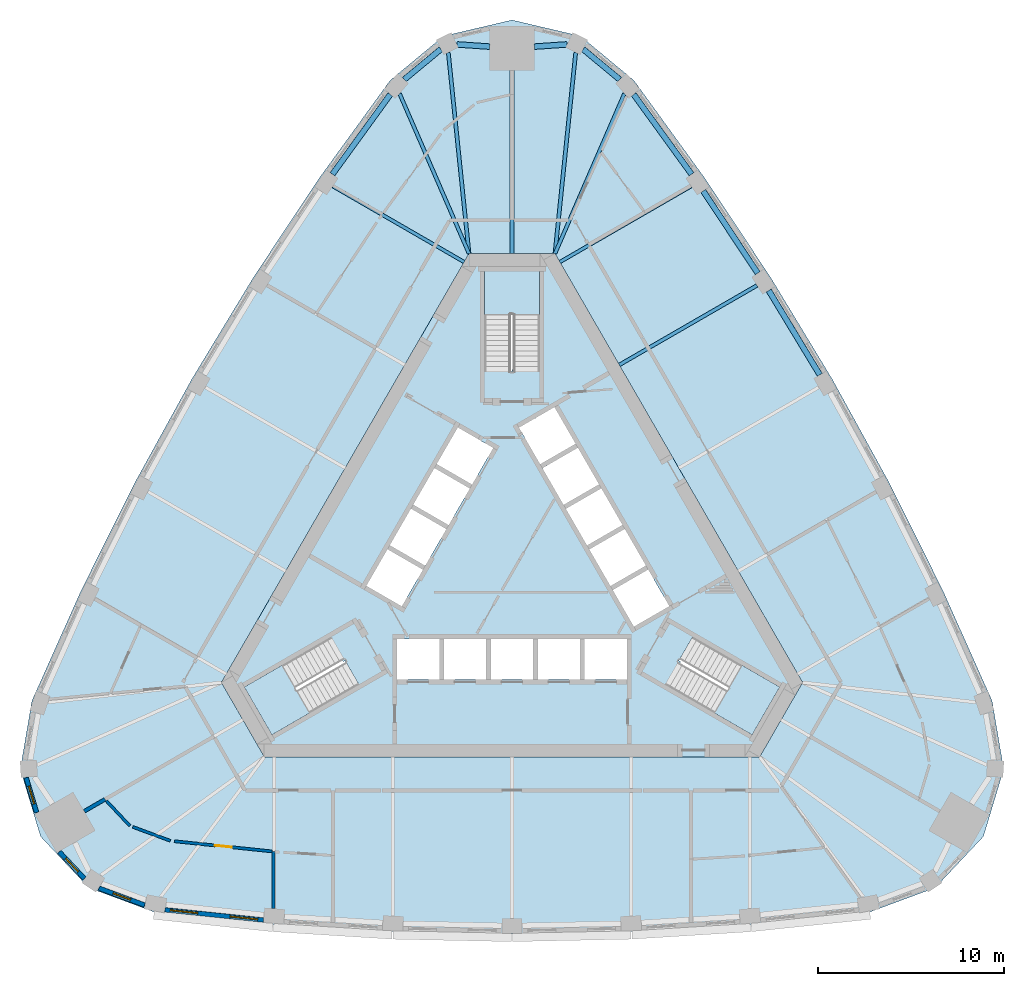
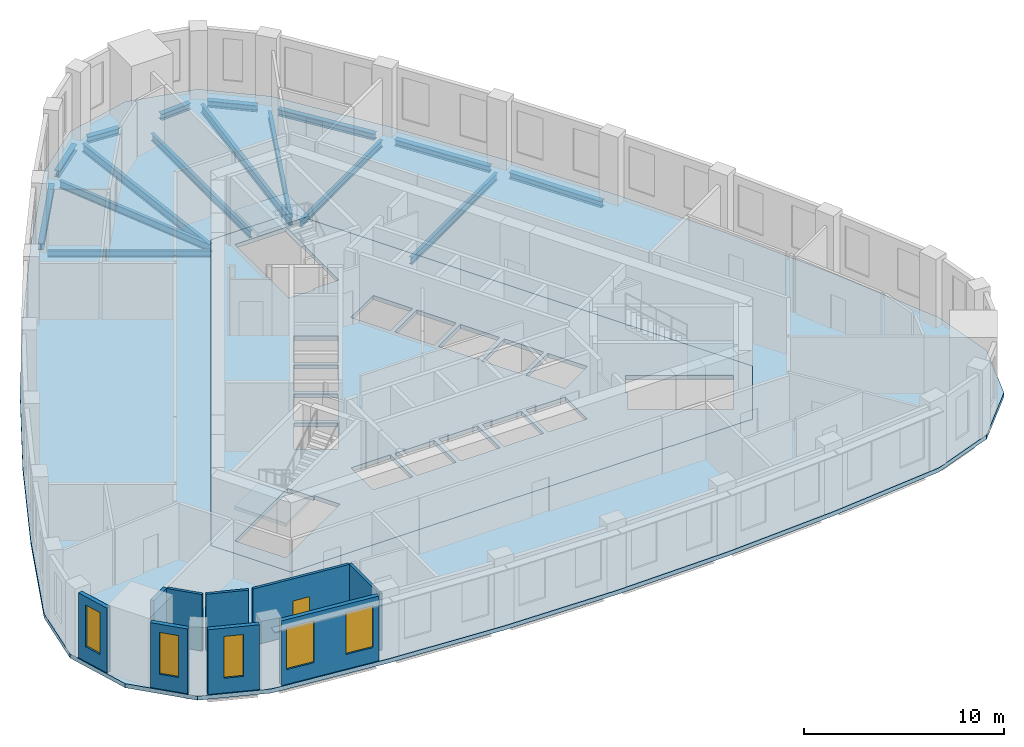
# One storey, part 2 of 10: 16 beams, 9 walls, 5 slabs, 5 windows, 1 door, 6 openings, 3 elements without a shape of their own.
"""IFC4 building model written with IfcOpenShell, lengths in metres."""

from ifc_helpers import new_model, si_unit, direction, frame, frame_2d, origin, origin_2d, place, context, subcontext, project, spatial, polyline, rectangle, i_section, outline, extrude, material, layer, layer_set, material_profile, profile_set, type_object, element, fill, aggregate, save


model = new_model("IFC4")

# Units and contexts
model_context = context("Model", 3, precision=1e-05, world=origin(), true_north=direction((0.0, 1.0)))
body_context = subcontext(model_context, "Body", "Model", "MODEL_VIEW")
ifc_project = project(units=[si_unit("LENGTHUNIT", "METRE"), si_unit("AREAUNIT", "SQUARE_METRE"), si_unit("VOLUMEUNIT", "CUBIC_METRE"), si_unit("PLANEANGLEUNIT", "RADIAN"), si_unit("MASSUNIT", "GRAM", prefix="KILO")], contexts=[model_context])

# Site, building, storey
site_placement = place(None, origin())
site = spatial("IfcSite", under=ifc_project, at=site_placement, CompositionType="ELEMENT")
building_placement = place(site_placement, origin())
building = spatial("IfcBuilding", under=site, at=building_placement, Name="Mestral Congress Tower", CompositionType="ELEMENT")
storey_placement = place(building_placement, frame((0.0, 0.0, 247.800048828125)))
storey = spatial("IfcBuildingStorey", under=building, at=storey_placement, Name="L58", CompositionType="ELEMENT", Elevation=247.800048828125)

# Beams
ifc_material_1 = material(Name="Steel S355", Category="steel")
ifc_material_profile_1 = material_profile(ifc_material_1, i_section(OverallWidth=0.179931640625, OverallDepth=0.39990234375, WebThickness=0.008544921875, FlangeThickness=0.013427734375, FilletRadius=0.02099609375, at=origin_2d()), Name="IPE 400")
ifc_profile_set_1 = profile_set([ifc_material_profile_1], Name="Steel S355")
beam_type_1 = type_object("IfcBeamType", Name="Floor beam IPE 400 S355", PredefinedType="BEAM", material=ifc_profile_set_1)
for number, where, z_axis, x_axis, name in (
    (1, (9.627197265625, 20.321533203125, -0.449951171875), (-0.86601443812, -0.500018992608, 0.0), (0.500018992608, -0.86601443812, 0.0), "BM-L58-RB4-E05"),
    (2, (-9.627197265625, 20.321533203125, -0.449951171875), (0.86601443812, -0.500018992608, 0.0), (0.500018992608, 0.86601443812, 0.0), "BM-L58-RB4-W01"),
):
    element("IfcBeam", number, at=place(storey_placement, frame(where, z_axis=z_axis, x_axis=x_axis)), inside=storey, type_object=beam_type_1, Name=name, PredefinedType="BEAM", context=body_context, shape_type="SweptSolid", body=[
        extrude(i_section(OverallWidth=0.179931640625, OverallDepth=0.39990234375, WebThickness=0.008544921875, FlangeThickness=0.013427734375, FilletRadius=0.02099609375, at=origin_2d()), origin(), (0.0, 0.0, 1.0), 8.148193359375),
    ])
ifc_material_profile_2 = material_profile(ifc_material_1, i_section(OverallWidth=0.18994140625, OverallDepth=0.449951171875, WebThickness=0.009521484375, FlangeThickness=0.0146484375, FilletRadius=0.02099609375, at=origin_2d()), Name="IPE 450")
ifc_profile_set_2 = profile_set([ifc_material_profile_2], Name="Steel S355")
beam_type_2 = type_object("IfcBeamType", Name="Floor beam IPE 450 S355", PredefinedType="BEAM", material=ifc_profile_set_2)
beam_1_placement = place(storey_placement, frame((13.16650390625, 14.98974609375, -0.47509765625), z_axis=(-0.866028621479, -0.499994426748, 0.0), x_axis=(0.499994426748, -0.866028621479, 0.0)))
element("IfcBeam", 3, at=beam_1_placement, inside=storey, type_object=beam_type_2, Name="BM-L58-RB4-E04", PredefinedType="BEAM", context=body_context, shape_type="SweptSolid", body=[
    extrude(i_section(OverallWidth=0.18994140625, OverallDepth=0.449951171875, WebThickness=0.009521484375, FlangeThickness=0.0146484375, FilletRadius=0.02099609375, at=origin_2d()), origin(), (0.0, 0.0, 1.0), 8.54736328125),
])
beam_2_placement = place(storey_placement, frame((6.0419921875, 25.296875, -0.47509765625), z_axis=(-0.398265997009, -0.91726996878, 0.0), x_axis=(0.91726996878, -0.398265997009, 0.0)))
element("IfcBeam", 4, at=beam_2_placement, inside=storey, type_object=beam_type_2, Name="BM-L58-RB4-E06", PredefinedType="BEAM", context=body_context, shape_type="SweptSolid", body=[
    extrude(i_section(OverallWidth=0.18994140625, OverallDepth=0.449951171875, WebThickness=0.009521484375, FlangeThickness=0.0146484375, FilletRadius=0.02099609375, at=origin_2d()), origin(), (0.0, 0.0, 1.0), 9.372314453125),
])
beam_3_placement = place(storey_placement, frame((0.0, 26.54443359375, -0.47509765625), z_axis=(0.0, -1.0, 0.0), x_axis=(1.0, 0.0, 0.0)))
element("IfcBeam", 5, at=beam_3_placement, inside=storey, type_object=beam_type_2, Name="BM-L58-RB4-N", PredefinedType="BEAM", context=body_context, shape_type="SweptSolid", body=[
    extrude(i_section(OverallWidth=0.18994140625, OverallDepth=0.449951171875, WebThickness=0.009521484375, FlangeThickness=0.0146484375, FilletRadius=0.02099609375, at=origin_2d()), origin(), (0.0, 0.0, 1.0), 9.844482421875),
])
beam_4_placement = place(storey_placement, frame((-6.0419921875, 25.296875, -0.47509765625), z_axis=(0.398265997009, -0.91726996878, 0.0), x_axis=(0.91726996878, 0.398265997009, 0.0)))
element("IfcBeam", 6, at=beam_4_placement, inside=storey, type_object=beam_type_2, Name="BM-L58-RB4-W00", PredefinedType="BEAM", context=body_context, shape_type="SweptSolid", body=[
    extrude(i_section(OverallWidth=0.18994140625, OverallDepth=0.449951171875, WebThickness=0.009521484375, FlangeThickness=0.0146484375, FilletRadius=0.02099609375, at=origin_2d()), origin(), (0.0, 0.0, 1.0), 9.372314453125),
])
ifc_material_profile_3 = material_profile(ifc_material_1, i_section(OverallWidth=0.199951171875, OverallDepth=0.5, WebThickness=0.01025390625, FlangeThickness=0.01611328125, FilletRadius=0.02099609375, at=origin_2d()), Name="IPE 500")
ifc_profile_set_3 = profile_set([ifc_material_profile_3], Name="Steel S355")
beam_type_3 = type_object("IfcBeamType", Name="Floor beam IPE 500 S355", PredefinedType="BEAM", material=ifc_profile_set_3)
for number, where, z_axis, x_axis, name in (
    (7, (3.4228515625, 27.5009765625, -0.5), (-0.102550876252, -0.994727760636, 0.0), (0.994727760636, -0.102550876252, 0.0), "BM-L58-RB4-N1"),
    (8, (-3.4228515625, 27.5009765625, -0.5), (0.102550876252, -0.994727760636, 0.0), (0.994727760636, 0.102550876252, 0.0), "BM-L58-RB4-N3"),
):
    element("IfcBeam", number, at=place(storey_placement, frame(where, z_axis=z_axis, x_axis=x_axis)), inside=storey, type_object=beam_type_3, Name=name, PredefinedType="BEAM", context=body_context, shape_type="SweptSolid", body=[
        extrude(i_section(OverallWidth=0.199951171875, OverallDepth=0.5, WebThickness=0.01025390625, FlangeThickness=0.01611328125, FilletRadius=0.02099609375, at=origin_2d()), origin(), (0.0, 0.0, 1.0), 10.858154296875),
    ])
ifc_material_profile_4 = material_profile(ifc_material_1, i_section(OverallWidth=0.300048828125, OverallDepth=0.389892578125, WebThickness=0.010986328125, FlangeThickness=0.01904296875, FilletRadius=0.027099609375, at=origin_2d()), Name="HEA 400")
ifc_profile_set_4 = profile_set([ifc_material_profile_4], Name="Steel S355")
beam_type_4 = type_object("IfcBeamType", Name="Spandrel beam HEA 400 S355", PredefinedType="BEAM", material=ifc_profile_set_4)
for number, where, z_axis, x_axis, name in (
    (9, (16.54248046875, 10.185791015625, -0.445068359375), (-0.517865676042, 0.855461946306, 0.0), (-0.855461946306, -0.517865676042, 0.0), "SP-L58-SB4-E03"),
    (10, (13.209228515625, 15.648193359375, -0.445068359375), (-0.552934106774, 0.833224983762, 0.0), (-0.833224983762, -0.552934106774, 0.0), "SP-L58-SB4-E04"),
):
    element("IfcBeam", number, at=place(storey_placement, frame(where, z_axis=z_axis, x_axis=x_axis)), inside=storey, type_object=beam_type_4, Name=name, PredefinedType="BEAM", context=body_context, shape_type="SweptSolid", body=[
        extrude(i_section(OverallWidth=0.300048828125, OverallDepth=0.389892578125, WebThickness=0.010986328125, FlangeThickness=0.01904296875, FilletRadius=0.027099609375, at=origin_2d()), origin(), (0.0, 0.0, 1.0), 5.29931640625),
    ])
beam_5_placement = place(storey_placement, frame((9.652099609375, 20.967529296875, -0.445068359375), z_axis=(-0.587017415163, 0.809574304369, 0.0), x_axis=(-0.809574304369, -0.587017415163, 0.0)))
element("IfcBeam", 11, at=beam_5_placement, inside=storey, type_object=beam_type_4, Name="SP-L58-SB4-E05", PredefinedType="BEAM", context=body_context, shape_type="SweptSolid", body=[
    extrude(i_section(OverallWidth=0.300048828125, OverallDepth=0.389892578125, WebThickness=0.010986328125, FlangeThickness=0.01904296875, FilletRadius=0.027099609375, at=origin_2d()), origin(), (0.0, 0.0, 1.0), 5.29736328125),
])
beam_6_placement = place(storey_placement, frame((5.789306640625, 26.058837890625, -0.445068359375), z_axis=(-0.769970431757, 0.638079567311, 0.0), x_axis=(-0.638079567311, -0.769970431757, 0.0)))
element("IfcBeam", 12, at=beam_6_placement, inside=storey, type_object=beam_type_4, Name="SP-L58-SB4-E06", PredefinedType="BEAM", context=body_context, shape_type="SweptSolid", body=[
    extrude(i_section(OverallWidth=0.300048828125, OverallDepth=0.389892578125, WebThickness=0.010986328125, FlangeThickness=0.01904296875, FilletRadius=0.027099609375, at=origin_2d()), origin(), (0.0, 0.0, 1.0), 2.547119140625),
])
for number, where, z_axis, x_axis, name in (
    (13, (2.9521484375, 27.94384765625, -0.445068359375), (-0.997724466462, -0.067423208337, 0.0), (0.067423208337, -0.997724466462, 0.0), "SP-L58-SB4-N1"),
    (14, (-1.199951171875, 27.825439453125, -0.445068359375), (-0.997724466462, 0.067423208337, 0.0), (-0.067423208337, -0.997724466462, 0.0), "SP-L58-SB4-N"),
):
    element("IfcBeam", number, at=place(storey_placement, frame(where, z_axis=z_axis, x_axis=x_axis)), inside=storey, type_object=beam_type_4, Name=name, PredefinedType="BEAM", context=body_context, shape_type="SweptSolid", body=[
        extrude(i_section(OverallWidth=0.300048828125, OverallDepth=0.389892578125, WebThickness=0.010986328125, FlangeThickness=0.01904296875, FilletRadius=0.027099609375, at=origin_2d()), origin(), (0.0, 0.0, 1.0), 1.756103515625),
    ])
beam_7_placement = place(storey_placement, frame((-3.828125, 27.68408203125, -0.445068359375), z_axis=(-0.769970431757, -0.638079567311, 0.0), x_axis=(0.638079567311, -0.769970431757, 0.0)))
element("IfcBeam", 15, at=beam_7_placement, inside=storey, type_object=beam_type_4, Name="SP-L58-SB4-N3", PredefinedType="BEAM", context=body_context, shape_type="SweptSolid", body=[
    extrude(i_section(OverallWidth=0.300048828125, OverallDepth=0.389892578125, WebThickness=0.010986328125, FlangeThickness=0.01904296875, FilletRadius=0.027099609375, at=origin_2d()), origin(), (0.0, 0.0, 1.0), 2.547119140625),
])
beam_8_placement = place(storey_placement, frame((-6.54248046875, 25.256103515625, -0.445068359375), z_axis=(-0.587017415163, -0.809574304369, 0.0), x_axis=(0.809574304369, -0.587017415163, 0.0)))
element("IfcBeam", 16, at=beam_8_placement, inside=storey, type_object=beam_type_4, Name="SP-L58-SB4-W00", PredefinedType="BEAM", context=body_context, shape_type="SweptSolid", body=[
    extrude(i_section(OverallWidth=0.300048828125, OverallDepth=0.389892578125, WebThickness=0.010986328125, FlangeThickness=0.01904296875, FilletRadius=0.027099609375, at=origin_2d()), origin(), (0.0, 0.0, 1.0), 5.29736328125),
])

# Slabs
ifc_material_2 = material(Name="Concrete C35/45", Category="concrete")
ifc_layer_1 = layer(ifc_material_2, 0.25)
ifc_layer_set_1 = layer_set([ifc_layer_1], Name="Concrete C35/45")
slab_type_1 = type_object("IfcSlabType", Name="Composite floor slab 250", PredefinedType="FLOOR", material=ifc_layer_set_1)
placement_1 = place(storey_placement, frame((0.0, 0.0, -0.25)))
element("IfcSlab", 17, at=placement_1, inside=storey, type_object=slab_type_1, Name="SL-L58", PredefinedType="FLOOR", context=body_context, shape_type="SweptSolid", body=[
    extrude(outline(polyline([(-19.253662109375, -18.678466796875), (-22.75, -17.381591796875), (-25.3369140625, -14.62841796875), (-26.427978515625, -11.01123046875), (-25.802978515625, -7.334716796875), (-23.16748046875, -1.4306640625), (-20.310302734375, 4.316650390625), (-17.21728515625, 9.9404296875), (-13.8935546875, 15.430908203125), (-10.3447265625, 20.77880859375), (-6.54931640625, 26.013427734375), (-3.677978515625, 28.392822265625), (0.0, 29.256591796875), (3.677978515625, 28.392822265625), (6.54931640625, 26.013427734375), (10.3447265625, 20.77880859375), (13.8935546875, 15.430908203125), (17.21728515625, 9.9404296875), (20.310302734375, 4.316650390625), (23.16748046875, -1.4306640625), (25.802978515625, -7.334716796875), (26.427978515625, -11.01123046875), (25.3369140625, -14.62841796875), (22.75, -17.381591796875), (19.253662109375, -18.678466796875), (12.822509765625, -19.34814453125), (6.416748046875, -19.74755859375), (0.0, -19.880615234375), (-6.416748046875, -19.74755859375), (-12.822509765625, -19.34814453125), (-19.253662109375, -18.678466796875)]), holes=[polyline([(-2.309326171875, 16.699951171875), (-15.6171875, -6.35009765625), (-13.307861328125, -10.35009765625), (13.307861328125, -10.35009765625), (15.6171875, -6.35009765625), (2.309326171875, 16.699951171875), (-2.309326171875, 16.699951171875)])]), origin(), (0.0, 0.0, 1.0), 0.25),
])
ifc_material_3 = material(Name="Concrete C60/75", Category="concrete")
ifc_layer_2 = layer(ifc_material_3, 0.25)
ifc_layer_set_2 = layer_set([ifc_layer_2], Name="Concrete C60/75")
slab_type_2 = type_object("IfcSlabType", Name="Core floor slab RC 250", PredefinedType="FLOOR", material=ifc_layer_set_2)
element("IfcSlab", 18, at=placement_1, inside=storey, type_object=slab_type_2, Name="L58 core floor", PredefinedType="FLOOR", context=body_context, shape_type="SweptSolid", body=[
    extrude(outline(polyline([(13.307861328125, -10.35009765625), (-13.307861328125, -10.35009765625), (-15.6171875, -6.35009765625), (-2.309326171875, 16.699951171875), (2.309326171875, 16.699951171875), (15.6171875, -6.35009765625), (13.307861328125, -10.35009765625)]), holes=[polyline([(-9.8046875, -3.95751953125), (-14.37744140625, -6.59765625), (-12.90234375, -9.15234375), (-8.234619140625, -6.45751953125), (-8.971923828125, -5.179931640625), (-9.0673828125, -5.235107421875), (-9.8046875, -3.95751953125)]), polyline([(-3.905029296875, -4.0), (-6.175048828125, -4.0), (-6.175048828125, -6.199951171875), (-3.905029296875, -6.199951171875), (-3.905029296875, -4.0)]), polyline([(-1.385009765625, -4.0), (-3.655029296875, -4.0), (-3.655029296875, -6.199951171875), (-1.385009765625, -6.199951171875), (-1.385009765625, -4.0)]), polyline([(1.135009765625, -4.0), (-1.135009765625, -4.0), (-1.135009765625, -6.199951171875), (1.135009765625, -6.199951171875), (1.135009765625, -4.0)]), polyline([(-5.921630859375, -2.256591796875), (-4.78662109375, -0.29052734375), (-6.69189453125, 0.809326171875), (-7.826904296875, -1.156494140625), (-5.921630859375, -2.256591796875)]), polyline([(-4.66162109375, -0.07421875), (-3.526611328125, 1.8916015625), (-5.431884765625, 2.99169921875), (-6.56689453125, 1.02587890625), (-4.66162109375, -0.07421875)]), polyline([(-3.401611328125, 2.1083984375), (-2.2666015625, 4.07421875), (-4.171875, 5.174072265625), (-5.306884765625, 3.208251953125), (-3.401611328125, 2.1083984375)]), polyline([(-2.1416015625, 4.29052734375), (-1.006591796875, 6.256591796875), (-2.911865234375, 7.3564453125), (-4.046875, 5.390625), (-2.1416015625, 4.29052734375)]), polyline([(1.47509765625, 10.469970703125), (1.47509765625, 15.75), (-1.47509765625, 15.75), (-1.47509765625, 10.360107421875), (0.0, 10.360107421875), (0.0, 10.469970703125), (1.47509765625, 10.469970703125)]), polyline([(8.329833984375, -6.512451171875), (12.90234375, -9.15234375), (14.37744140625, -6.59765625), (9.70947265625, -3.902587890625), (8.971923828125, -5.179931640625), (9.0673828125, -5.235107421875), (8.329833984375, -6.512451171875)]), polyline([(3.655029296875, -4.0), (1.385009765625, -4.0), (1.385009765625, -6.199951171875), (3.655029296875, -6.199951171875), (3.655029296875, -4.0)]), polyline([(6.175048828125, -4.0), (3.905029296875, -4.0), (3.905029296875, -6.199951171875), (6.175048828125, -6.199951171875), (6.175048828125, -4.0)]), polyline([(5.41650390625, -1.3818359375), (6.551513671875, -3.34765625), (8.456787109375, -2.247802734375), (7.322021484375, -0.28173828125), (5.41650390625, -1.3818359375)]), polyline([(4.156494140625, 0.800537109375), (5.29150390625, -1.165283203125), (7.197021484375, -0.065185546875), (6.06201171875, 1.900634765625), (4.156494140625, 0.800537109375)]), polyline([(2.896484375, 2.98291015625), (4.031494140625, 1.01708984375), (5.93701171875, 2.1171875), (4.802001953125, 4.0830078125), (2.896484375, 2.98291015625)]), polyline([(3.5419921875, 6.265380859375), (1.63671875, 5.165283203125), (2.771484375, 3.199462890625), (4.677001953125, 4.29931640625), (3.5419921875, 6.265380859375)]), polyline([(2.281982421875, 8.44775390625), (0.376708984375, 7.34765625), (1.51171875, 5.3818359375), (3.4169921875, 6.481689453125), (2.281982421875, 8.44775390625)])]), origin(), (0.0, 0.0, 1.0), 0.25),
])

# Stair, slab
stair_type = type_object("IfcStairType", Name="Exit stair 1400", PredefinedType="HALF_TURN_STAIR", material=ifc_material_3)
placement_2 = place(storey_placement, origin())
stair_1 = element("IfcStair", 19, at=placement_2, inside=storey, type_object=stair_type, Name="L58 ST1", PredefinedType="HALF_TURN_STAIR")
ifc_layer_3 = layer(ifc_material_3, 0.199951171875)
ifc_layer_set_3 = layer_set([ifc_layer_3], Name="Concrete C60/75")
slab_type_3 = type_object("IfcSlabType", Name="Exit stair landing 200", PredefinedType="LANDING", material=ifc_layer_set_3)
placement_3 = place(storey_placement, frame((0.0, 0.0, 1.89990234375)))
slab_3 = element("IfcSlab", 20, at=placement_3, type_object=slab_type_3, Name="ST1 landing 1", PredefinedType="LANDING", context=body_context, shape_type="SweptSolid", body=[
    extrude(outline(polyline([(10.879638671875, -7.99609375), (12.364501953125, -5.424072265625), (14.39111328125, -6.593994140625), (12.906005859375, -9.166015625), (10.879638671875, -7.99609375)])), origin(), (0.0, 0.0, 1.0), 0.199951171875),
])
aggregate(stair_1, [slab_3])

stair_2 = element("IfcStair", 21, at=placement_2, inside=storey, type_object=stair_type, Name="L58 ST2", PredefinedType="HALF_TURN_STAIR")
slab_4 = element("IfcSlab", 22, at=placement_3, type_object=slab_type_3, Name="ST2 landing 1", PredefinedType="LANDING", context=body_context, shape_type="SweptSolid", body=[
    extrude(outline(polyline([(1.485107421875, 13.419921875), (-1.485107421875, 13.419921875), (-1.485107421875, 15.760009765625), (1.485107421875, 15.760009765625), (1.485107421875, 13.419921875)])), origin(), (0.0, 0.0, 1.0), 0.199951171875),
])
aggregate(stair_2, [slab_4])

stair_3 = element("IfcStair", 23, at=placement_2, inside=storey, type_object=stair_type, Name="L58 ST3", PredefinedType="HALF_TURN_STAIR")
slab_5 = element("IfcSlab", 24, at=placement_3, type_object=slab_type_3, Name="ST3 landing 1", PredefinedType="LANDING", context=body_context, shape_type="SweptSolid", body=[
    extrude(outline(polyline([(-12.364501953125, -5.424072265625), (-10.879638671875, -7.99609375), (-12.906005859375, -9.166015625), (-14.39111328125, -6.593994140625), (-12.364501953125, -5.424072265625)])), origin(), (0.0, 0.0, 1.0), 0.199951171875),
])
aggregate(stair_3, [slab_5])

# Wall, openings, windows
ifc_material_4 = material(Name="Precast concrete C40/50 with limestone facing", Category="masonry")
ifc_layer_4 = layer(ifc_material_4, 0.239990234375)
ifc_layer_set_4 = layer_set([ifc_layer_4], Name="Precast concrete C40/50 with limestone facing")
wall_type_1 = type_object("IfcWallType", Name="Facade stone wall 240", PredefinedType="SOLIDWALL", material=ifc_layer_set_4)
wall_1_placement = place(storey_placement, frame((-18.644287109375, -18.571044921875, 0.0), z_axis=(0.0, 0.0, 1.0), x_axis=(0.994621961215, -0.103571976272, 0.0)))
wall_1 = element("IfcWall", 25, at=wall_1_placement, inside=storey, type_object=wall_type_1, Name="Facade wall F0-00", PredefinedType="SOLIDWALL", context=body_context, shape_type="SweptSolid", body=[
    extrude(rectangle(XDim=5.310791015625, YDim=0.239990234375, at=frame_2d((2.6552734375, 0.0))), origin(), (0.0, 0.0, 1.0), 3.949951171875),
])
opening_1_placement = place(wall_1_placement, frame((0.271484375, 0.0, 0.89990234375)))
opening_1 = element("IfcOpeningElement", 26, at=opening_1_placement, cuts=wall_1, Name="Opening W4", PredefinedType="OPENING", context=body_context, shape_type="SweptSolid", body=[
    extrude(rectangle(XDim=1.5, YDim=2.550048828125, at=frame_2d((0.75, 1.27490234375))), frame((0.0, 0.1298828125, 0.0), z_axis=(0.0, -1.0, 0.0), x_axis=(1.0, 0.0, 0.0)), (0.0, 0.0, 1.0), 0.260009765625),
])
opening_2_placement = place(wall_1_placement, frame((3.50439453125, 0.0, 0.89990234375)))
opening_2 = element("IfcOpeningElement", 27, at=opening_2_placement, cuts=wall_1, Name="Opening W4", PredefinedType="OPENING", context=body_context, shape_type="SweptSolid", body=[
    extrude(rectangle(XDim=1.5, YDim=2.550048828125, at=frame_2d((0.75, 1.27490234375))), frame((0.0, 0.1298828125, 0.0), z_axis=(0.0, -1.0, 0.0), x_axis=(1.0, 0.0, 0.0)), (0.0, 0.0, 1.0), 0.260009765625),
])
ifc_material_5 = material(Name="Clear low-emissivity double glazing", Category="glass")
window_type_1 = type_object("IfcWindowType", Name="Facade punched window 1500 x 2550 sill 900", PartitioningType="SINGLE_PANEL", PredefinedType="WINDOW", material=ifc_material_5)
window_1_placement = place(opening_1_placement, origin())
window_1 = element("IfcWindow", 28, at=window_1_placement, inside=storey, type_object=window_type_1, Name="Window F0-00a", OverallHeight=2.550048828125, OverallWidth=1.5, PartitioningType="SINGLE_PANEL", PredefinedType="WINDOW", context=body_context, shape_type="SweptSolid", body=[
    extrude(rectangle(XDim=1.5, YDim=2.550048828125, at=frame_2d((0.75, 1.27490234375))), frame((0.0, 0.0400390625, 0.0), z_axis=(0.0, -1.0, 0.0), x_axis=(1.0, 0.0, 0.0)), (0.0, 0.0, 1.0), 0.06005859375),
])
fill(opening_1, window_1)
window_2_placement = place(opening_2_placement, origin())
window_2 = element("IfcWindow", 29, at=window_2_placement, inside=storey, type_object=window_type_1, Name="Window F0-00b", OverallHeight=2.550048828125, OverallWidth=1.5, PartitioningType="SINGLE_PANEL", PredefinedType="WINDOW", context=body_context, shape_type="SweptSolid", body=[
    extrude(rectangle(XDim=1.5, YDim=2.550048828125, at=frame_2d((0.75, 1.27490234375))), frame((0.0, 0.0400390625, 0.0), z_axis=(0.0, -1.0, 0.0), x_axis=(1.0, 0.0, 0.0)), (0.0, 0.0, 1.0), 0.06005859375),
])
fill(opening_2, window_2)

# Wall, opening, window
wall_2_placement = place(storey_placement, frame((-26.1123046875, -11.469482421875, 0.0), z_axis=(0.0, 0.0, 1.0), x_axis=(0.288727209095, -0.957411405159, 0.0)))
wall_2 = element("IfcWall", 30, at=wall_2_placement, inside=storey, type_object=wall_type_1, Name="Facade wall K2-1", PredefinedType="SOLIDWALL", context=body_context, shape_type="SweptSolid", body=[
    extrude(rectangle(XDim=1.9482421875, YDim=0.239990234375, at=frame_2d((0.97412109375, 0.0))), origin(), (0.0, 0.0, 1.0), 3.949951171875),
])
opening_3_placement = place(wall_2_placement, frame((0.47412109375, 0.0, 0.89990234375)))
opening_3 = element("IfcOpeningElement", 31, at=opening_3_placement, cuts=wall_2, Name="Opening W5", PredefinedType="OPENING", context=body_context, shape_type="SweptSolid", body=[
    extrude(rectangle(XDim=1.0, YDim=2.550048828125, at=frame_2d((0.5, 1.27490234375))), frame((0.0, 0.1298828125, 0.0), z_axis=(0.0, -1.0, 0.0), x_axis=(1.0, 0.0, 0.0)), (0.0, 0.0, 1.0), 0.260009765625),
])
window_type_2 = type_object("IfcWindowType", Name="Facade punched window 1000 x 2550 sill 900", PartitioningType="SINGLE_PANEL", PredefinedType="WINDOW", material=ifc_material_5)
window_3_placement = place(opening_3_placement, origin())
window_3 = element("IfcWindow", 32, at=window_3_placement, inside=storey, type_object=window_type_2, Name="Window K2-1", OverallHeight=2.550048828125, OverallWidth=1.0, PartitioningType="SINGLE_PANEL", PredefinedType="WINDOW", context=body_context, shape_type="SweptSolid", body=[
    extrude(rectangle(XDim=1.0, YDim=2.550048828125, at=frame_2d((0.5, 1.27490234375))), frame((0.0, 0.0400390625, 0.0), z_axis=(0.0, -1.0, 0.0), x_axis=(1.0, 0.0, 0.0)), (0.0, 0.0, 1.0), 0.06005859375),
])
fill(opening_3, window_3)

wall_3_placement = place(storey_placement, frame((-24.322998046875, -15.459228515625, 0.0), z_axis=(0.0, 0.0, 1.0), x_axis=(0.684770274166, -0.728758994194, 0.0)))
wall_3 = element("IfcWall", 33, at=wall_3_placement, inside=storey, type_object=wall_type_1, Name="Facade wall K2-2", PredefinedType="SOLIDWALL", context=body_context, shape_type="SweptSolid", body=[
    extrude(rectangle(XDim=1.947998046875, YDim=0.239990234375, at=frame_2d((0.97412109375, 0.0))), origin(), (0.0, 0.0, 1.0), 3.949951171875),
])
opening_4_placement = place(wall_3_placement, frame((0.47412109375, 0.0, 0.89990234375)))
opening_4 = element("IfcOpeningElement", 34, at=opening_4_placement, cuts=wall_3, Name="Opening W5", PredefinedType="OPENING", context=body_context, shape_type="SweptSolid", body=[
    extrude(rectangle(XDim=1.0, YDim=2.550048828125, at=frame_2d((0.5, 1.27490234375))), frame((0.0, 0.1298828125, 0.0), z_axis=(0.0, -1.0, 0.0), x_axis=(1.0, 0.0, 0.0)), (0.0, 0.0, 1.0), 0.260009765625),
])
window_4_placement = place(opening_4_placement, origin())
window_4 = element("IfcWindow", 35, at=window_4_placement, inside=storey, type_object=window_type_2, Name="Window K2-2", OverallHeight=2.550048828125, OverallWidth=1.0, PartitioningType="SINGLE_PANEL", PredefinedType="WINDOW", context=body_context, shape_type="SweptSolid", body=[
    extrude(rectangle(XDim=1.0, YDim=2.550048828125, at=frame_2d((0.5, 1.27490234375))), frame((0.0, 0.0400390625, 0.0), z_axis=(0.0, -1.0, 0.0), x_axis=(1.0, 0.0, 0.0)), (0.0, 0.0, 1.0), 0.06005859375),
])
fill(opening_4, window_4)

wall_4_placement = place(storey_placement, frame((-22.194091796875, -17.406494140625, 0.0), z_axis=(0.0, 0.0, 1.0), x_axis=(0.937569171184, -0.347798863203, 0.0)))
wall_4 = element("IfcWall", 36, at=wall_4_placement, inside=storey, type_object=wall_type_1, Name="Facade wall K2-3", PredefinedType="SOLIDWALL", context=body_context, shape_type="SweptSolid", body=[
    extrude(rectangle(XDim=2.609130859375, YDim=0.239990234375, at=frame_2d((1.3046875, 0.0))), origin(), (0.0, 0.0, 1.0), 3.949951171875),
])
opening_5_placement = place(wall_4_placement, frame((0.8046875, 0.0, 0.89990234375)))
opening_5 = element("IfcOpeningElement", 37, at=opening_5_placement, cuts=wall_4, Name="Opening W5", PredefinedType="OPENING", context=body_context, shape_type="SweptSolid", body=[
    extrude(rectangle(XDim=1.0, YDim=2.550048828125, at=frame_2d((0.5, 1.27490234375))), frame((0.0, 0.1298828125, 0.0), z_axis=(0.0, -1.0, 0.0), x_axis=(1.0, 0.0, 0.0)), (0.0, 0.0, 1.0), 0.260009765625),
])
window_5_placement = place(opening_5_placement, origin())
window_5 = element("IfcWindow", 38, at=window_5_placement, inside=storey, type_object=window_type_2, Name="Window K2-3", OverallHeight=2.550048828125, OverallWidth=1.0, PartitioningType="SINGLE_PANEL", PredefinedType="WINDOW", context=body_context, shape_type="SweptSolid", body=[
    extrude(rectangle(XDim=1.0, YDim=2.550048828125, at=frame_2d((0.5, 1.27490234375))), frame((0.0, 0.0400390625, 0.0), z_axis=(0.0, -1.0, 0.0), x_axis=(1.0, 0.0, 0.0)), (0.0, 0.0, 1.0), 0.06005859375),
])
fill(opening_5, window_5)

# Walls
ifc_material_6 = material(Name="Plasterboard partition on steel studs", Category="steel")
ifc_layer_5 = layer(ifc_material_6, 0.14990234375)
ifc_layer_set_5 = layer_set([ifc_layer_5], Name="Plasterboard partition on steel studs")
wall_type_2 = type_object("IfcWallType", Name="Office partition 150", PredefinedType="PARTITIONING", material=ifc_layer_set_5)
wall_5_placement = place(storey_placement, frame((-12.822509765625, -15.437255859375, 0.0), z_axis=(0.0, 0.0, 1.0), x_axis=(0.0, -1.0, 0.0)))
element("IfcWall", 39, at=wall_5_placement, inside=storey, type_object=wall_type_2, Name="Partition", PredefinedType="PARTITIONING", context=body_context, shape_type="SweptSolid", body=[
    extrude(rectangle(XDim=3.057861328125, YDim=0.14990234375, at=frame_2d((1.52880859375, 0.0))), origin(), (0.0, 0.0, 1.0), 3.449951171875),
])
wall_6_placement = place(storey_placement, frame((-21.80615234375, -12.705322265625, 0.0), z_axis=(0.0, 0.0, 1.0), x_axis=(0.684700980092, -0.728824099396, 0.0)))
element("IfcWall", 40, at=wall_6_placement, inside=storey, type_object=wall_type_2, Name="Partition", PredefinedType="PARTITIONING", context=body_context, shape_type="SweptSolid", body=[
    extrude(rectangle(XDim=1.84814453125, YDim=0.14990234375, at=frame_2d((0.924072265625, 0.0))), origin(), (0.0, 0.0, 1.0), 3.449951171875),
])
wall_7_placement = place(storey_placement, frame((-20.3828125, -14.11083984375, 0.0), z_axis=(0.0, 0.0, 1.0), x_axis=(0.937598383102, -0.347720105838, 0.0)))
element("IfcWall", 41, at=wall_7_placement, inside=storey, type_object=wall_type_2, Name="Partition", PredefinedType="PARTITIONING", context=body_context, shape_type="SweptSolid", body=[
    extrude(rectangle(XDim=2.155517578125, YDim=0.14990234375, at=frame_2d((1.07763671875, 0.0))), origin(), (0.0, 0.0, 1.0), 3.449951171875),
])

# Wall, opening, door
wall_8_placement = place(storey_placement, frame((-12.897705078125, -15.429443359375, 0.0), z_axis=(0.0, 0.0, 1.0), x_axis=(-0.99462039429, 0.103587022653, 0.0)))
wall_8 = element("IfcWall", 42, at=wall_8_placement, inside=storey, type_object=wall_type_2, Name="Partition", PredefinedType="PARTITIONING", context=body_context, shape_type="SweptSolid", body=[
    extrude(rectangle(XDim=5.279296875, YDim=0.14990234375, at=frame_2d((2.6396484375, 0.0))), origin(), (0.0, 0.0, 1.0), 3.449951171875),
])
opening_6_placement = place(wall_8_placement, frame((2.179443359375, 0.0, 0.0)))
opening_6 = element("IfcOpeningElement", 43, at=opening_6_placement, cuts=wall_8, Name="Opening O09-019", PredefinedType="OPENING", context=body_context, shape_type="SweptSolid", body=[
    extrude(rectangle(XDim=0.89990234375, YDim=2.10009765625, at=frame_2d((0.449951171875, 1.050048828125))), frame((0.0, 0.0849609375, 0.0), z_axis=(0.0, -1.0, 0.0), x_axis=(1.0, 0.0, 0.0)), (0.0, 0.0, 1.0), 0.169921875),
])
ifc_material_7 = material(Name="Timber door set", Category="wood")
door_type = type_object("IfcDoorType", Name="Office door 900x2100", OperationType="SINGLE_SWING_LEFT", PredefinedType="DOOR", material=ifc_material_7)
door_placement = place(opening_6_placement, origin())
door = element("IfcDoor", 44, at=door_placement, inside=storey, type_object=door_type, Name="Door O09-019", OperationType="SINGLE_SWING_LEFT", OverallHeight=2.10009765625, OverallWidth=0.89990234375, PredefinedType="DOOR", context=body_context, shape_type="SweptSolid", body=[
    extrude(rectangle(XDim=0.89990234375, YDim=2.10009765625, at=frame_2d((0.449951171875, 1.050048828125))), frame((0.0, 0.02490234375, 0.0), z_axis=(0.0, -1.0, 0.0), x_axis=(1.0, 0.0, 0.0)), (0.0, 0.0, 1.0), 0.050048828125),
])
fill(opening_6, door)

# Wall
ifc_material_8 = material(Name="Dense masonry wall, plastered", Category="masonry")
ifc_layer_6 = layer(ifc_material_8, 0.199951171875)
ifc_layer_set_6 = layer_set([ifc_layer_6], Name="Dense masonry wall, plastered")
wall_type_3 = type_object("IfcWallType", Name="Office tenancy wall 200", PredefinedType="PARTITIONING", material=ifc_layer_set_6)
wall_9_placement = place(storey_placement, frame((-21.873046875, -12.62841796875, 0.0), z_axis=(0.0, 0.0, 1.0), x_axis=(-0.866052988967, -0.499952218018, 0.0)))
element("IfcWall", 45, at=wall_9_placement, inside=storey, type_object=wall_type_3, Name="Tenancy wall", PredefinedType="PARTITIONING", context=body_context, shape_type="SweptSolid", body=[
    extrude(rectangle(XDim=1.287841796875, YDim=0.199951171875, at=frame_2d((0.64404296875, 0.0))), origin(), (0.0, 0.0, 1.0), 3.449951171875),
])

save(model, "model.ifc")
